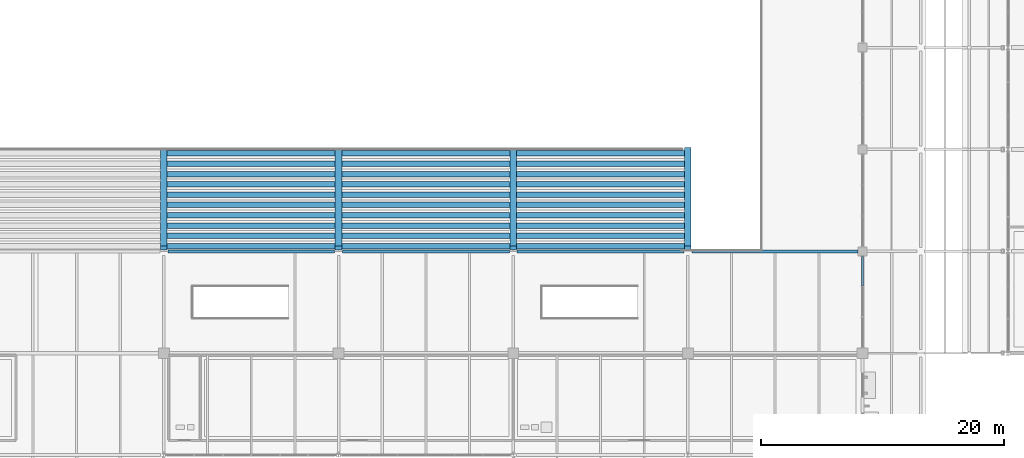
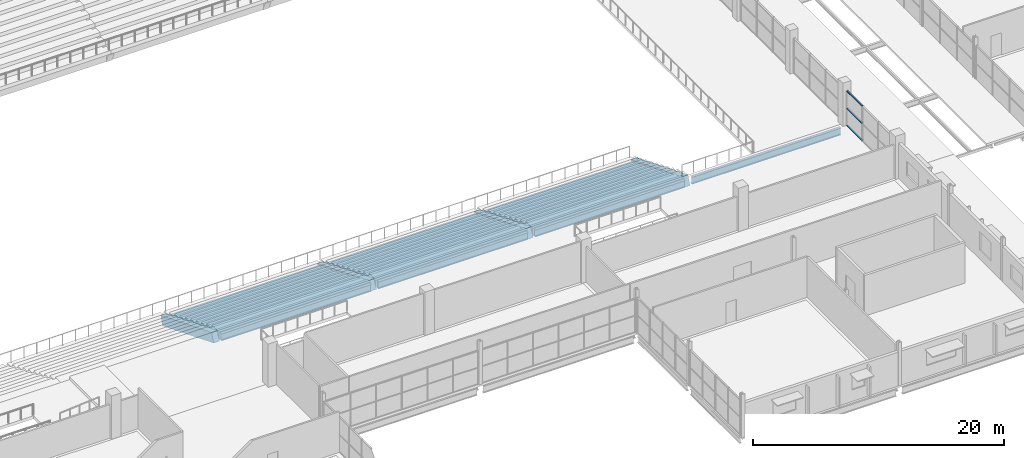
# One storey, part 45 of 161: 38 beams, 3 members, 1 element without a shape of its own.
"""IFC4 building model written with IfcOpenShell, lengths in metres."""

from ifc_helpers import new_model, si_unit, direction, frame, origin, origin_2d, place, context, subcontext, project, spatial, rectangle, hollow_rectangle, i_section, extrude, material, material_profile, profile_set, type_object, element, aggregate, save


model = new_model("IFC4")

# Units and contexts
model_context = context("Model", 3, precision=1e-05, world=origin(), true_north=direction((0.0, 1.0)))
body_context = subcontext(model_context, "Body", "Model", "MODEL_VIEW")
ifc_project = project(units=[si_unit("LENGTHUNIT", "METRE"), si_unit("AREAUNIT", "SQUARE_METRE"), si_unit("VOLUMEUNIT", "CUBIC_METRE"), si_unit("PLANEANGLEUNIT", "RADIAN"), si_unit("MASSUNIT", "GRAM", prefix="KILO"), si_unit("THERMODYNAMICTEMPERATUREUNIT", "KELVIN")], contexts=[model_context])

# Site, building, storey
site_placement = place(None, origin())
site = spatial("IfcSite", under=ifc_project, at=site_placement, CompositionType="ELEMENT")
building_placement = place(site_placement, origin())
building = spatial("IfcBuilding", under=site, at=building_placement, Name="Nduvali Passage Aquatics Centre", CompositionType="ELEMENT")
storey_placement = place(building_placement, frame((0.0, 0.0, 4.800048828125)))
storey = spatial("IfcBuildingStorey", under=building, at=storey_placement, Name="L01", CompositionType="ELEMENT", Elevation=4.800048828125)

# Curtain wall, members
ifc_material_1 = material(Name="Aluminium EN AW-6063 T6", Category="aluminium")
curtain_wall_type = type_object("IfcCurtainWallType", Name="ENV-CW-HALL", PredefinedType="NOTDEFINED", material=ifc_material_1)
curtain_wall_placement = place(storey_placement, origin())
curtain_wall = element("IfcCurtainWall", 1, at=curtain_wall_placement, inside=storey, type_object=curtain_wall_type, Name="L01 East Passage Pool Hall Gallery Glazing 015", PredefinedType="NOTDEFINED")
ifc_material_profile_1 = material_profile(ifc_material_1, hollow_rectangle(XDim=0.14990234375, YDim=0.06005859375, WallThickness=0.00390625, at=origin_2d()), Name="ALU TRANSOM 150x60x4")
ifc_profile_set_1 = profile_set([ifc_material_profile_1], Name="Aluminium EN AW-6063 T6")
member_type = type_object("IfcMemberType", Name="ENV-MEM-TRN80", PredefinedType="USERDEFINED", material=ifc_profile_set_1)
member_1_placement = place(storey_placement, frame((126.0, 30.72998046875, 0.030029296875), z_axis=(0.0, 1.0, 0.0), x_axis=(-1.0, 0.0, 0.0)))
member_1 = element("IfcMember", 2, at=member_1_placement, type_object=member_type, Name="East Passage Pool Hall Gallery Glazing Transom B3-R0", ObjectType="TRANSOM", PredefinedType="USERDEFINED", context=body_context, shape_type="SweptSolid", body=[
    extrude(hollow_rectangle(XDim=0.14990234375, YDim=0.06005859375, WallThickness=0.00390625, at=origin_2d()), origin(), (0.0, 0.0, 1.0), 2.43505859375),
])
member_2_placement = place(storey_placement, frame((126.0, 30.72998046875, 1.6982421875), z_axis=(0.0, 1.0, 0.0), x_axis=(-1.0, 0.0, 0.0)))
member_2 = element("IfcMember", 3, at=member_2_placement, type_object=member_type, Name="East Passage Pool Hall Gallery Glazing Transom B3-R1", ObjectType="TRANSOM", PredefinedType="USERDEFINED", context=body_context, shape_type="SweptSolid", body=[
    extrude(hollow_rectangle(XDim=0.14990234375, YDim=0.06005859375, WallThickness=0.00390625, at=origin_2d()), origin(), (0.0, 0.0, 1.0), 2.43505859375),
])
member_3_placement = place(storey_placement, frame((126.0, 30.72998046875, 3.366455078125), z_axis=(0.0, 1.0, 0.0), x_axis=(-1.0, 0.0, 0.0)))
member_3 = element("IfcMember", 4, at=member_3_placement, type_object=member_type, Name="East Passage Pool Hall Gallery Glazing Transom B3-R2", ObjectType="TRANSOM", PredefinedType="USERDEFINED", context=body_context, shape_type="SweptSolid", body=[
    extrude(hollow_rectangle(XDim=0.14990234375, YDim=0.06005859375, WallThickness=0.00390625, at=origin_2d()), origin(), (0.0, 0.0, 1.0), 2.43505859375),
])
aggregate(curtain_wall, [member_1, member_2, member_3])

# Beams
ifc_material_2 = material(Name="Concrete C40/50", Category="concrete")
ifc_material_profile_2 = material_profile(ifc_material_2, rectangle(XDim=0.449951171875, YDim=0.75, at=origin_2d()), Name="RC 450x750")
ifc_profile_set_2 = profile_set([ifc_material_profile_2], Name="Concrete C40/50")
beam_type_1 = type_object("IfcBeamType", Name="STR-BM-RC4575", PredefinedType="BEAM", material=ifc_profile_set_2)
beam_1_placement = place(storey_placement, frame((68.639892578125, 41.675048828125, -3.97509765625), z_axis=(1.0, 0.0, 0.0), x_axis=(0.0, 1.0, 0.0)))
element("IfcBeam", 5, at=beam_1_placement, inside=storey, type_object=beam_type_1, Name="L01 South Stand Tier Bearer Row 01 B3-1515", PredefinedType="BEAM", context=body_context, shape_type="SweptSolid", body=[
    extrude(rectangle(XDim=0.449951171875, YDim=0.75, at=origin_2d()), origin(), (0.0, 0.0, 1.0), 13.920166015625),
])
beam_2_placement = place(storey_placement, frame((83.0400390625, 41.675048828125, -3.97509765625), z_axis=(1.0, 0.0, 0.0), x_axis=(0.0, 1.0, 0.0)))
element("IfcBeam", 6, at=beam_2_placement, inside=storey, type_object=beam_type_1, Name="L01 South Stand Tier Bearer Row 01 B3-1516", PredefinedType="BEAM", context=body_context, shape_type="SweptSolid", body=[
    extrude(rectangle(XDim=0.449951171875, YDim=0.75, at=origin_2d()), origin(), (0.0, 0.0, 1.0), 13.919921875),
])
for number, where, z_axis, x_axis, name in (
    (7, (97.43994140625, 41.675048828125, -3.97509765625), (1.0, 0.0, 0.0), (0.0, 1.0, 0.0), "L01 South Stand Tier Bearer Row 01 B3-1517"),
    (8, (68.639892578125, 40.824951171875, -3.614990234375), (1.0, 0.0, 0.0), (0.0, 1.0, 0.0), "L01 South Stand Tier Bearer Row 02 B3-1520"),
):
    element("IfcBeam", number, at=place(storey_placement, frame(where, z_axis=z_axis, x_axis=x_axis)), inside=storey, type_object=beam_type_1, Name=name, PredefinedType="BEAM", context=body_context, shape_type="SweptSolid", body=[
        extrude(rectangle(XDim=0.449951171875, YDim=0.75, at=origin_2d()), origin(), (0.0, 0.0, 1.0), 13.920166015625),
    ])
beam_3_placement = place(storey_placement, frame((83.0400390625, 40.824951171875, -3.614990234375), z_axis=(1.0, 0.0, 0.0), x_axis=(0.0, 1.0, 0.0)))
element("IfcBeam", 9, at=beam_3_placement, inside=storey, type_object=beam_type_1, Name="L01 South Stand Tier Bearer Row 02 B3-1521", PredefinedType="BEAM", context=body_context, shape_type="SweptSolid", body=[
    extrude(rectangle(XDim=0.449951171875, YDim=0.75, at=origin_2d()), origin(), (0.0, 0.0, 1.0), 13.919921875),
])
for number, where, z_axis, x_axis, name in (
    (10, (97.43994140625, 40.824951171875, -3.614990234375), (1.0, 0.0, 0.0), (0.0, 1.0, 0.0), "L01 South Stand Tier Bearer Row 02 B3-1522"),
    (11, (68.639892578125, 39.97509765625, -3.255126953125), (1.0, 0.0, 0.0), (0.0, 1.0, 0.0), "L01 South Stand Tier Bearer Row 03 B3-1525"),
):
    element("IfcBeam", number, at=place(storey_placement, frame(where, z_axis=z_axis, x_axis=x_axis)), inside=storey, type_object=beam_type_1, Name=name, PredefinedType="BEAM", context=body_context, shape_type="SweptSolid", body=[
        extrude(rectangle(XDim=0.449951171875, YDim=0.75, at=origin_2d()), origin(), (0.0, 0.0, 1.0), 13.920166015625),
    ])
beam_4_placement = place(storey_placement, frame((83.0400390625, 39.97509765625, -3.255126953125), z_axis=(1.0, 0.0, 0.0), x_axis=(0.0, 1.0, 0.0)))
element("IfcBeam", 12, at=beam_4_placement, inside=storey, type_object=beam_type_1, Name="L01 South Stand Tier Bearer Row 03 B3-1526", PredefinedType="BEAM", context=body_context, shape_type="SweptSolid", body=[
    extrude(rectangle(XDim=0.449951171875, YDim=0.75, at=origin_2d()), origin(), (0.0, 0.0, 1.0), 13.919921875),
])
for number, where, z_axis, x_axis, name in (
    (13, (97.43994140625, 39.97509765625, -3.255126953125), (1.0, 0.0, 0.0), (0.0, 1.0, 0.0), "L01 South Stand Tier Bearer Row 03 B3-1527"),
    (14, (68.639892578125, 39.125, -2.89501953125), (1.0, 0.0, 0.0), (0.0, 1.0, 0.0), "L01 South Stand Tier Bearer Row 04 B3-1530"),
):
    element("IfcBeam", number, at=place(storey_placement, frame(where, z_axis=z_axis, x_axis=x_axis)), inside=storey, type_object=beam_type_1, Name=name, PredefinedType="BEAM", context=body_context, shape_type="SweptSolid", body=[
        extrude(rectangle(XDim=0.449951171875, YDim=0.75, at=origin_2d()), origin(), (0.0, 0.0, 1.0), 13.920166015625),
    ])
beam_5_placement = place(storey_placement, frame((83.0400390625, 39.125, -2.89501953125), z_axis=(1.0, 0.0, 0.0), x_axis=(0.0, 1.0, 0.0)))
element("IfcBeam", 15, at=beam_5_placement, inside=storey, type_object=beam_type_1, Name="L01 South Stand Tier Bearer Row 04 B3-1531", PredefinedType="BEAM", context=body_context, shape_type="SweptSolid", body=[
    extrude(rectangle(XDim=0.449951171875, YDim=0.75, at=origin_2d()), origin(), (0.0, 0.0, 1.0), 13.919921875),
])
for number, where, z_axis, x_axis, name in (
    (16, (97.43994140625, 39.125, -2.89501953125), (1.0, 0.0, 0.0), (0.0, 1.0, 0.0), "L01 South Stand Tier Bearer Row 04 B3-1532"),
    (17, (68.639892578125, 38.27490234375, -2.53515625), (1.0, 0.0, 0.0), (0.0, 1.0, 0.0), "L01 South Stand Tier Bearer Row 05 B3-1535"),
):
    element("IfcBeam", number, at=place(storey_placement, frame(where, z_axis=z_axis, x_axis=x_axis)), inside=storey, type_object=beam_type_1, Name=name, PredefinedType="BEAM", context=body_context, shape_type="SweptSolid", body=[
        extrude(rectangle(XDim=0.449951171875, YDim=0.75, at=origin_2d()), origin(), (0.0, 0.0, 1.0), 13.920166015625),
    ])
beam_6_placement = place(storey_placement, frame((83.0400390625, 38.27490234375, -2.53515625), z_axis=(1.0, 0.0, 0.0), x_axis=(0.0, 1.0, 0.0)))
element("IfcBeam", 18, at=beam_6_placement, inside=storey, type_object=beam_type_1, Name="L01 South Stand Tier Bearer Row 05 B3-1536", PredefinedType="BEAM", context=body_context, shape_type="SweptSolid", body=[
    extrude(rectangle(XDim=0.449951171875, YDim=0.75, at=origin_2d()), origin(), (0.0, 0.0, 1.0), 13.919921875),
])
for number, where, z_axis, x_axis, name in (
    (19, (97.43994140625, 38.27490234375, -2.53515625), (1.0, 0.0, 0.0), (0.0, 1.0, 0.0), "L01 South Stand Tier Bearer Row 05 B3-1537"),
    (20, (68.639892578125, 37.425048828125, -2.175048828125), (1.0, 0.0, 0.0), (0.0, 1.0, 0.0), "L01 South Stand Tier Bearer Row 06 B3-1540"),
):
    element("IfcBeam", number, at=place(storey_placement, frame(where, z_axis=z_axis, x_axis=x_axis)), inside=storey, type_object=beam_type_1, Name=name, PredefinedType="BEAM", context=body_context, shape_type="SweptSolid", body=[
        extrude(rectangle(XDim=0.449951171875, YDim=0.75, at=origin_2d()), origin(), (0.0, 0.0, 1.0), 13.920166015625),
    ])
beam_7_placement = place(storey_placement, frame((83.0400390625, 37.425048828125, -2.175048828125), z_axis=(1.0, 0.0, 0.0), x_axis=(0.0, 1.0, 0.0)))
element("IfcBeam", 21, at=beam_7_placement, inside=storey, type_object=beam_type_1, Name="L01 South Stand Tier Bearer Row 06 B3-1541", PredefinedType="BEAM", context=body_context, shape_type="SweptSolid", body=[
    extrude(rectangle(XDim=0.449951171875, YDim=0.75, at=origin_2d()), origin(), (0.0, 0.0, 1.0), 13.919921875),
])
for number, where, z_axis, x_axis, name in (
    (22, (97.43994140625, 37.425048828125, -2.175048828125), (1.0, 0.0, 0.0), (0.0, 1.0, 0.0), "L01 South Stand Tier Bearer Row 06 B3-1542"),
    (23, (68.639892578125, 36.574951171875, -1.81494140625), (1.0, 0.0, 0.0), (0.0, 1.0, 0.0), "L01 South Stand Tier Bearer Row 07 B3-1545"),
):
    element("IfcBeam", number, at=place(storey_placement, frame(where, z_axis=z_axis, x_axis=x_axis)), inside=storey, type_object=beam_type_1, Name=name, PredefinedType="BEAM", context=body_context, shape_type="SweptSolid", body=[
        extrude(rectangle(XDim=0.449951171875, YDim=0.75, at=origin_2d()), origin(), (0.0, 0.0, 1.0), 13.920166015625),
    ])
beam_8_placement = place(storey_placement, frame((83.0400390625, 36.574951171875, -1.81494140625), z_axis=(1.0, 0.0, 0.0), x_axis=(0.0, 1.0, 0.0)))
element("IfcBeam", 24, at=beam_8_placement, inside=storey, type_object=beam_type_1, Name="L01 South Stand Tier Bearer Row 07 B3-1546", PredefinedType="BEAM", context=body_context, shape_type="SweptSolid", body=[
    extrude(rectangle(XDim=0.449951171875, YDim=0.75, at=origin_2d()), origin(), (0.0, 0.0, 1.0), 13.919921875),
])
for number, where, z_axis, x_axis, name in (
    (25, (97.43994140625, 36.574951171875, -1.81494140625), (1.0, 0.0, 0.0), (0.0, 1.0, 0.0), "L01 South Stand Tier Bearer Row 07 B3-1547"),
    (26, (68.639892578125, 35.72509765625, -1.455078125), (1.0, 0.0, 0.0), (0.0, 1.0, 0.0), "L01 South Stand Tier Bearer Row 08 B3-1550"),
):
    element("IfcBeam", number, at=place(storey_placement, frame(where, z_axis=z_axis, x_axis=x_axis)), inside=storey, type_object=beam_type_1, Name=name, PredefinedType="BEAM", context=body_context, shape_type="SweptSolid", body=[
        extrude(rectangle(XDim=0.449951171875, YDim=0.75, at=origin_2d()), origin(), (0.0, 0.0, 1.0), 13.920166015625),
    ])
beam_9_placement = place(storey_placement, frame((83.0400390625, 35.72509765625, -1.455078125), z_axis=(1.0, 0.0, 0.0), x_axis=(0.0, 1.0, 0.0)))
element("IfcBeam", 27, at=beam_9_placement, inside=storey, type_object=beam_type_1, Name="L01 South Stand Tier Bearer Row 08 B3-1551", PredefinedType="BEAM", context=body_context, shape_type="SweptSolid", body=[
    extrude(rectangle(XDim=0.449951171875, YDim=0.75, at=origin_2d()), origin(), (0.0, 0.0, 1.0), 13.919921875),
])
for number, where, z_axis, x_axis, name in (
    (28, (97.43994140625, 35.72509765625, -1.455078125), (1.0, 0.0, 0.0), (0.0, 1.0, 0.0), "L01 South Stand Tier Bearer Row 08 B3-1552"),
    (29, (68.639892578125, 34.875, -1.094970703125), (1.0, 0.0, 0.0), (0.0, 1.0, 0.0), "L01 South Stand Tier Bearer Row 09 B3-1555"),
):
    element("IfcBeam", number, at=place(storey_placement, frame(where, z_axis=z_axis, x_axis=x_axis)), inside=storey, type_object=beam_type_1, Name=name, PredefinedType="BEAM", context=body_context, shape_type="SweptSolid", body=[
        extrude(rectangle(XDim=0.449951171875, YDim=0.75, at=origin_2d()), origin(), (0.0, 0.0, 1.0), 13.920166015625),
    ])
beam_10_placement = place(storey_placement, frame((83.0400390625, 34.875, -1.094970703125), z_axis=(1.0, 0.0, 0.0), x_axis=(0.0, 1.0, 0.0)))
element("IfcBeam", 30, at=beam_10_placement, inside=storey, type_object=beam_type_1, Name="L01 South Stand Tier Bearer Row 09 B3-1556", PredefinedType="BEAM", context=body_context, shape_type="SweptSolid", body=[
    extrude(rectangle(XDim=0.449951171875, YDim=0.75, at=origin_2d()), origin(), (0.0, 0.0, 1.0), 13.919921875),
])
for number, where, z_axis, x_axis, name in (
    (31, (97.43994140625, 34.875, -1.094970703125), (1.0, 0.0, 0.0), (0.0, 1.0, 0.0), "L01 South Stand Tier Bearer Row 09 B3-1557"),
    (32, (68.639892578125, 34.02490234375, -0.735107421875), (1.0, 0.0, 0.0), (0.0, 1.0, 0.0), "L01 South Stand Tier Bearer Row 10 B3-1560"),
):
    element("IfcBeam", number, at=place(storey_placement, frame(where, z_axis=z_axis, x_axis=x_axis)), inside=storey, type_object=beam_type_1, Name=name, PredefinedType="BEAM", context=body_context, shape_type="SweptSolid", body=[
        extrude(rectangle(XDim=0.449951171875, YDim=0.75, at=origin_2d()), origin(), (0.0, 0.0, 1.0), 13.920166015625),
    ])
beam_11_placement = place(storey_placement, frame((83.0400390625, 34.02490234375, -0.735107421875), z_axis=(1.0, 0.0, 0.0), x_axis=(0.0, 1.0, 0.0)))
element("IfcBeam", 33, at=beam_11_placement, inside=storey, type_object=beam_type_1, Name="L01 South Stand Tier Bearer Row 10 B3-1561", PredefinedType="BEAM", context=body_context, shape_type="SweptSolid", body=[
    extrude(rectangle(XDim=0.449951171875, YDim=0.75, at=origin_2d()), origin(), (0.0, 0.0, 1.0), 13.919921875),
])
beam_12_placement = place(storey_placement, frame((97.43994140625, 34.02490234375, -0.735107421875), z_axis=(1.0, 0.0, 0.0), x_axis=(0.0, 1.0, 0.0)))
element("IfcBeam", 34, at=beam_12_placement, inside=storey, type_object=beam_type_1, Name="L01 South Stand Tier Bearer Row 10 B3-1562", PredefinedType="BEAM", context=body_context, shape_type="SweptSolid", body=[
    extrude(rectangle(XDim=0.449951171875, YDim=0.75, at=origin_2d()), origin(), (0.0, 0.0, 1.0), 13.920166015625),
])
ifc_material_3 = material(Name="Steel S355", Category="steel")
ifc_material_profile_3 = material_profile(ifc_material_3, i_section(OverallWidth=0.253662109375, OverallDepth=0.68359375, WebThickness=0.012451171875, FlangeThickness=0.01904296875, FilletRadius=0.01513671875, at=origin_2d()), Name="UKB 686x254x140")
ifc_profile_set_3 = profile_set([ifc_material_profile_3], Name="Steel S355")
beam_type_2 = type_object("IfcBeamType", Name="STR-BM-UKB686", PredefinedType="BEAM", material=ifc_profile_set_3)
for number, where, z_axis, x_axis, name in (
    (35, (68.72509765625, 33.60009765625, -0.705810546875), (1.0, 0.0, 0.0), (0.0, 1.0, 0.0), "L01 Primary X-Girder B4-0462"),
    (36, (83.125, 33.60009765625, -0.705810546875), (1.0, 0.0, 0.0), (0.0, 1.0, 0.0), "L01 Primary X-Girder B4-0463"),
    (37, (97.52490234375, 33.60009765625, -0.705810546875), (1.0, 0.0, 0.0), (0.0, 1.0, 0.0), "L01 Primary X-Girder B4-0464"),
):
    element("IfcBeam", number, at=place(storey_placement, frame(where, z_axis=z_axis, x_axis=x_axis)), inside=storey, type_object=beam_type_2, Name=name, PredefinedType="BEAM", context=body_context, shape_type="SweptSolid", body=[
        extrude(i_section(OverallWidth=0.253662109375, OverallDepth=0.68359375, WebThickness=0.012451171875, FlangeThickness=0.01904296875, FilletRadius=0.01513671875, at=origin_2d()), origin(), (0.0, 0.0, 1.0), 13.75),
    ])
beam_13_placement = place(storey_placement, frame((111.925048828125, 33.60009765625, -0.625732421875), z_axis=(1.0, 0.0, 0.0), x_axis=(0.0, 1.0, 0.0)))
element("IfcBeam", 38, at=beam_13_placement, inside=storey, type_object=beam_type_2, Name="L01 Primary X-Girder B4-0465", PredefinedType="BEAM", context=body_context, shape_type="SweptSolid", body=[
    extrude(i_section(OverallWidth=0.253662109375, OverallDepth=0.68359375, WebThickness=0.012451171875, FlangeThickness=0.01904296875, FilletRadius=0.01513671875, at=origin_2d()), origin(), (0.0, 0.0, 1.0), 13.699951171875),
])
ifc_material_profile_4 = material_profile(ifc_material_2, rectangle(XDim=0.550048828125, YDim=0.89990234375, at=origin_2d()), Name="RC 550x900")
ifc_profile_set_4 = profile_set([ifc_material_profile_4], Name="Concrete C40/50")
beam_type_3 = type_object("IfcBeamType", Name="STR-RAK-RC5085", PredefinedType="USERDEFINED", material=ifc_profile_set_4)
for number, where, z_axis, x_axis, name in (
    (39, (68.39990234375, 33.8798828125, -0.78515625), (0.0, 0.928794121212, -0.370596114931), (-1.0, 0.0, 0.0), "L01 South Stand Raker Beam RK1-1509"),
    (40, (82.800048828125, 33.8798828125, -0.78515625), (0.0, 0.928794121212, -0.370596114931), (-1.0, 0.0, 0.0), "L01 South Stand Raker Beam RK1-1510"),
    (41, (97.199951171875, 33.8798828125, -0.78515625), (0.0, 0.928794121212, -0.370596114931), (-1.0, 0.0, 0.0), "L01 South Stand Raker Beam RK1-1511"),
    (42, (111.60009765625, 33.8798828125, -0.78515625), (0.0, 0.928794121212, -0.370596114931), (-1.0, 0.0, 0.0), "L01 South Stand Raker Beam RK1-1512"),
):
    element("IfcBeam", number, at=place(storey_placement, frame(where, z_axis=z_axis, x_axis=x_axis)), inside=storey, type_object=beam_type_3, Name=name, ObjectType="RAKER", PredefinedType="USERDEFINED", context=body_context, shape_type="SweptSolid", body=[
        extrude(rectangle(XDim=0.550048828125, YDim=0.89990234375, at=origin_2d()), origin(), (0.0, 0.0, 1.0), 8.74267578125),
    ])

save(model, "model.ifc")
